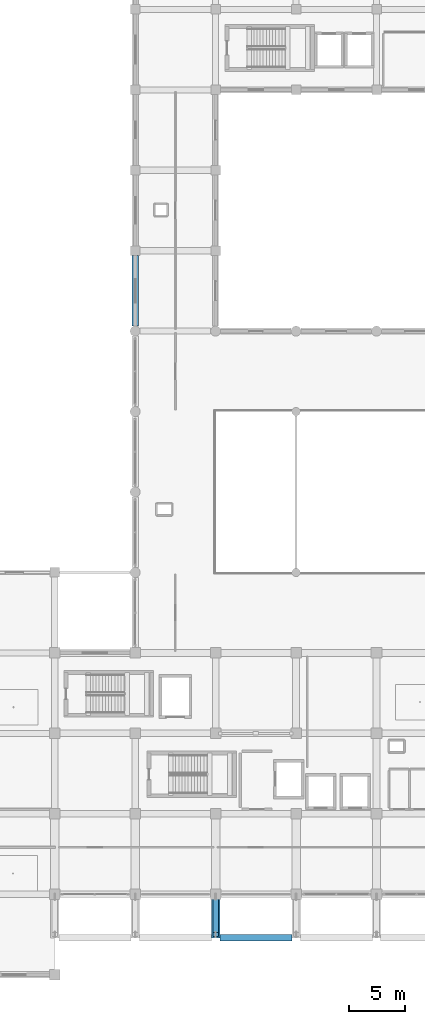
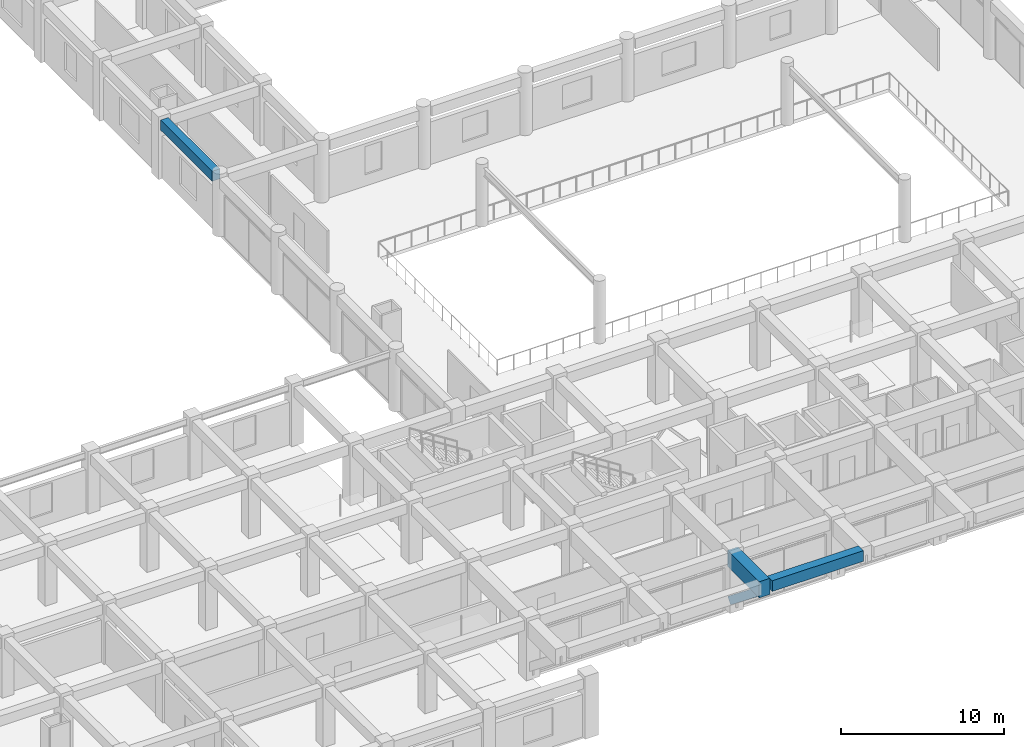
# One storey, part 9 of 54: 3 beams, 1 member.
"""IFC4 building model written with IfcOpenShell, lengths in metres."""

import ifcopenshell
import ifcopenshell.guid

model = None  # the IFC model being written
_history = None  # IfcOwnerHistory: only IFC2X3 demands one
_inside = {}  # id of a spatial element -> (the spatial element, [elements in it])
_under = {}  # id of a project, library or spatial element -> (it, [spatial elements below it])
_declared = {}  # id of a project -> (the project, [libraries it declares])
_typed = {}  # id of a type object -> (the type object, [elements of that type])
_made_of = {}  # id of a material, layer set ... -> (it, [elements and type objects made of it])


def new_model(schema):
    """Start an empty IFC model of exactly this schema.

    Asked for "IFC4X3", IfcOpenShell would pick the latest addendum, in which some entities
    have other attributes; the version numbers below select the first issue.
    IFC2X3 requires an IfcOwnerHistory on every rooted entity: one is made here for all.
    """
    global model, _history
    if schema == "IFC4X3":
        model = ifcopenshell.file(schema_version=(4, 3, 0, 0))
    else:
        model = ifcopenshell.file(schema=schema)
    _inside.clear()
    _under.clear()
    _declared.clear()
    _typed.clear()
    _made_of.clear()
    _history = None
    if model.schema == "IFC2X3":
        org = make("IfcOrganization", Name="unknown")
        user = make(
            "IfcPersonAndOrganization",
            ThePerson=make("IfcPerson", FamilyName="unknown"),
            TheOrganization=org,
        )
        app = make(
            "IfcApplication",
            ApplicationDeveloper=org,
            Version="unknown",
            ApplicationFullName="unknown",
            ApplicationIdentifier="unknown",
        )
        _history = make(
            "IfcOwnerHistory",
            OwningUser=user,
            OwningApplication=app,
            ChangeAction="ADDED",
            CreationDate=0,
        )
    return model


def make(cls, **values):
    """One entity of the class cls with the attributes given. An attribute that is None is left unset."""
    return model.create_entity(
        cls, **{name: value for name, value in values.items() if value is not None}
    )


def rooted(cls, **values):
    """An entity with a GlobalId (a new one), such as an element, a storey or a relation."""
    return make(cls, GlobalId=ifcopenshell.guid.new(), OwnerHistory=_history, **values)


def si_unit(unit_type, name, prefix=None):
    """IfcSIUnit, for example si_unit("LENGTHUNIT", "METRE", prefix="MILLI")."""
    return make("IfcSIUnit", UnitType=unit_type, Prefix=prefix, Name=name)


def assignment(units):
    """IfcUnitAssignment: the units of a project."""
    return None if units is None else make("IfcUnitAssignment", Units=units)


def point(xyz):
    """IfcCartesianPoint."""
    return None if xyz is None else make("IfcCartesianPoint", Coordinates=xyz)


def direction(xyz):
    """IfcDirection."""
    return None if xyz is None else make("IfcDirection", DirectionRatios=xyz)


def frame(location, z_axis=None, x_axis=None):
    """IfcAxis2Placement3D, a coordinate frame: its origin and axes. An axis left out is left unset."""
    return make(
        "IfcAxis2Placement3D",
        Location=point(location),
        Axis=direction(z_axis),
        RefDirection=direction(x_axis),
    )


def frame_2d(location, x_axis=None):
    """IfcAxis2Placement2D, a coordinate frame in the plane: its origin and x axis."""
    return make(
        "IfcAxis2Placement2D", Location=point(location), RefDirection=direction(x_axis)
    )


def origin():
    """The frame at (0, 0, 0) with its axes left unset."""
    return frame((0.0, 0.0, 0.0))


def origin_2d():
    """The frame at (0, 0) in the plane with its x axis left unset."""
    return frame_2d((0.0, 0.0))


def place(relative_to, where):
    """IfcLocalPlacement: puts the frame where relative to a parent placement (None: the world)."""
    return make(
        "IfcLocalPlacement", PlacementRelTo=relative_to, RelativePlacement=where
    )


def context(
    kind, dimensions, precision=None, world=None, true_north=None, identifier=None
):
    """IfcGeometricRepresentationContext, for example the 3D "Model" context."""
    return make(
        "IfcGeometricRepresentationContext",
        ContextIdentifier=identifier,
        ContextType=kind,
        CoordinateSpaceDimension=dimensions,
        Precision=precision,
        WorldCoordinateSystem=world,
        TrueNorth=true_north,
    )


def subcontext(parent, identifier, kind, view, scale=None):
    """IfcGeometricRepresentationSubContext, for example "Body" below "Model"."""
    return make(
        "IfcGeometricRepresentationSubContext",
        ContextIdentifier=identifier,
        ContextType=kind,
        ParentContext=parent,
        TargetScale=scale,
        TargetView=view,
    )


def project(units=None, contexts=None):
    """IfcProject with its units and contexts."""
    return rooted(
        "IfcProject",
        Name="project",
        RepresentationContexts=contexts,
        UnitsInContext=assignment(units),
    )


def spatial(cls, under=None, at=None, **own):
    """A site, building, storey or space (cls), placed at a placement, below another one or the project."""
    s = rooted(cls, ObjectPlacement=at, **own)
    if under is not None:
        _under.setdefault(under.id(), (under, []))[1].append(s)
    return s


def profile(cls, at=None, kind="AREA", **sizes):
    """A parametric profile (cls). Its sizes go by their IFC names, for example OverallWidth=200.0."""
    return make(cls, ProfileType=kind, Position=at, **sizes)


def rectangle(**sizes):
    """IfcRectangleProfileDef."""
    return profile("IfcRectangleProfileDef", **sizes)


def extrude(swept, where, along, depth):
    """IfcExtrudedAreaSolid: the profile swept, set in the frame where, extruded along a direction by depth."""
    return make(
        "IfcExtrudedAreaSolid",
        SweptArea=swept,
        Position=where,
        ExtrudedDirection=direction(along),
        Depth=depth,
    )


def shape(context_of_items, identifier, shape_type, items):
    """IfcShapeRepresentation: the items that make up one representation, for example the "Body"."""
    return make(
        "IfcShapeRepresentation",
        ContextOfItems=context_of_items,
        RepresentationIdentifier=identifier,
        RepresentationType=shape_type,
        Items=items,
    )


def material(Name=None, Category=None):
    """IfcMaterial."""
    return make("IfcMaterial", Name=Name, Category=Category)


def material_profile(
    of_material, cross_section, Name=None, Category=None, Priority=None
):
    """IfcMaterialProfile: a cross section and its material."""
    return make(
        "IfcMaterialProfile",
        Name=Name,
        Material=of_material,
        Profile=cross_section,
        Priority=Priority,
        Category=Category,
    )


def profile_set(profiles, Name=None, composite=None):
    """IfcMaterialProfileSet."""
    return make(
        "IfcMaterialProfileSet",
        Name=Name,
        MaterialProfiles=profiles,
        CompositeProfile=composite,
    )


def made_of(thing, what):
    """Note that an element or type object is made of a material, layer set ...; save() writes the relation."""
    if what is not None:
        _made_of.setdefault(what.id(), (what, []))[1].append(thing)
    return thing


def type_object(cls, material=None, **own):
    """A type object (cls), such as IfcWallType, which elements share."""
    return made_of(rooted(cls, **own), material)


def element(
    cls,
    number,
    at=None,
    inside=None,
    cuts=None,
    type_object=None,
    material=None,
    context=None,
    identifier="Body",
    shape_type=None,
    held_by="IfcProductDefinitionShape",
    body=None,
    shapes=None,
    **own,
):
    """One element of the class cls, such as IfcWall. Its Tag is "e" and its number.

    at: its placement. inside: the storey or other place that contains it. cuts: it is an
    opening in that element (IfcRelVoidsElement). A single representation is given by context,
    identifier, shape_type and body (its items); several are given by shapes. held_by: the class
    of the entity that holds the representations. save() writes the other relations.
    """
    e = rooted(cls, Tag="e%d" % number, ObjectPlacement=at, **own)
    if body is not None:
        shapes = [shape(context, identifier, shape_type, body)]
    if shapes is not None:
        e.Representation = make(held_by, Representations=shapes)
    if inside is not None:
        _inside.setdefault(inside.id(), (inside, []))[1].append(e)
    if cuts is not None:
        rooted(
            "IfcRelVoidsElement", RelatingBuildingElement=cuts, RelatedOpeningElement=e
        )
    if type_object is not None:
        _typed.setdefault(type_object.id(), (type_object, []))[1].append(e)
    return made_of(e, material)


def aggregate(whole, parts):
    """IfcRelAggregates: a whole, such as a stair, and the parts it consists of."""
    return rooted("IfcRelAggregates", RelatingObject=whole, RelatedObjects=parts)


def save(model, path):
    """Write the relations noted so far, then the file.

    IfcRelAggregates (storeys below a building ...), IfcRelContainedInSpatialStructure (elements
    in a storey), IfcRelDefinesByType, IfcRelAssociatesMaterial and IfcRelDeclares: one each for
    every whole, place, type object, material and project.
    """
    for whole, parts in _under.values():
        aggregate(whole, parts)
    for where, things in _inside.values():
        rooted(
            "IfcRelContainedInSpatialStructure",
            RelatedElements=things,
            RelatingStructure=where,
        )
    for kind, things in _typed.values():
        rooted("IfcRelDefinesByType", RelatedObjects=things, RelatingType=kind)
    for what, things in _made_of.values():
        rooted("IfcRelAssociatesMaterial", RelatedObjects=things, RelatingMaterial=what)
    for by, libraries in _declared.values():
        rooted("IfcRelDeclares", RelatingContext=by, RelatedDefinitions=libraries)
    model.write(path)


model = new_model("IFC4")

# Units and contexts
model_context = context("Model", 3, precision=1e-05, world=origin(), true_north=direction((0.0, 1.0)))
body_context = subcontext(model_context, "Body", "Model", "MODEL_VIEW")
ifc_project = project(units=[si_unit("LENGTHUNIT", "METRE"), si_unit("AREAUNIT", "SQUARE_METRE"), si_unit("VOLUMEUNIT", "CUBIC_METRE"), si_unit("PLANEANGLEUNIT", "RADIAN"), si_unit("MASSUNIT", "GRAM", prefix="KILO")], contexts=[model_context])

# Site, building, storey
site_placement = place(None, origin())
site = spatial("IfcSite", under=ifc_project, at=site_placement, CompositionType="ELEMENT")
building_placement = place(site_placement, origin())
building = spatial("IfcBuilding", under=site, at=building_placement, Name="Kazehaya Institute of Natural Sciences", CompositionType="ELEMENT")
storey_placement = place(building_placement, frame((0.0, 0.0, 10.43994140625)))
storey = spatial("IfcBuildingStorey", under=building, at=storey_placement, Name="L02", CompositionType="ELEMENT", Elevation=10.43994140625)

# Beams
ifc_material_1 = material(Name="Concrete Fc36", Category="concrete")
ifc_material_profile_1 = material_profile(ifc_material_1, rectangle(XDim=0.550048828125, YDim=0.75, at=origin_2d()), Name="RC-550x750")
ifc_profile_set_1 = profile_set([ifc_material_profile_1], Name="Concrete Fc36")
beam_type_1 = type_object("IfcBeamType", Name="BM-G-550x750", PredefinedType="BEAM", material=ifc_profile_set_1)
beam_1_placement = place(storey_placement, frame((61.800048828125, 64.85009765625, 4.03515625), z_axis=(0.0, 1.0, 0.0), x_axis=(-1.0, 0.0, 0.0)))
element("IfcBeam", 1, at=beam_1_placement, inside=storey, type_object=beam_type_1, Name="L02 primary Y girder BMY-L02-618-644", PredefinedType="BEAM", context=body_context, shape_type="SweptSolid", body=[
    extrude(rectangle(XDim=0.550048828125, YDim=0.75, at=origin_2d()), origin(), (0.0, 0.0, 1.0), 6.324951171875),
])
ifc_material_profile_2 = material_profile(ifc_material_1, rectangle(XDim=0.60009765625, YDim=0.800048828125, at=origin_2d()), Name="RC-600x800")
ifc_profile_set_2 = profile_set([ifc_material_profile_2], Name="Concrete Fc36")
beam_type_2 = type_object("IfcBeamType", Name="BM-G-600x800", PredefinedType="BEAM", material=ifc_profile_set_2)
beam_2_placement = place(storey_placement, frame((69.375, 10.10009765625, 4.010009765625), z_axis=(1.0, 0.0, 0.0), x_axis=(0.0, 1.0, 0.0)))
element("IfcBeam", 2, at=beam_2_placement, inside=storey, type_object=beam_type_2, Name="L02 primary X girder BMX-L02-690-101", PredefinedType="BEAM", context=body_context, shape_type="SweptSolid", body=[
    extrude(rectangle(XDim=0.60009765625, YDim=0.800048828125, at=origin_2d()), origin(), (0.0, 0.0, 1.0), 6.449951171875),
])
ifc_material_2 = material(Name="Concrete Fc42", Category="concrete")
ifc_material_profile_3 = material_profile(ifc_material_2, rectangle(XDim=0.75, YDim=1.199951171875, at=origin_2d()), Name="RC-750x1200")
ifc_profile_set_3 = profile_set([ifc_material_profile_3], Name="Concrete Fc42")
beam_type_3 = type_object("IfcBeamType", Name="BM-TG-750x1200", PredefinedType="BEAM", material=ifc_profile_set_3)
beam_3_placement = place(storey_placement, frame((69.0, 10.10009765625, 3.81005859375), z_axis=(0.0, 1.0, 0.0), x_axis=(-1.0, 0.0, 0.0)))
element("IfcBeam", 3, at=beam_3_placement, inside=storey, type_object=beam_type_3, Name="L02 cantilever transfer girder 1215", PredefinedType="BEAM", context=body_context, shape_type="SweptSolid", body=[
    extrude(rectangle(XDim=0.75, YDim=1.199951171875, at=origin_2d()), origin(), (0.0, 0.0, 1.0), 3.89990234375),
])

# Member
ifc_material_profile_4 = material_profile(ifc_material_2, rectangle(XDim=0.5, YDim=0.550048828125, at=origin_2d()), Name="RC-500x550")
ifc_profile_set_4 = profile_set([ifc_material_profile_4], Name="Concrete Fc42")
member_type = type_object("IfcMemberType", Name="MEM-STRUT-RC500", PredefinedType="BRACE", material=ifc_profile_set_4)
member_placement = place(storey_placement, frame((69.0, 14.0, 0.60009765625), z_axis=(0.0, -0.783008919264, 0.622010476079), x_axis=(1.0, 0.0, 0.0)))
element("IfcMember", 4, at=member_placement, inside=storey, type_object=member_type, Name="L02 raked cantilever strut 003", PredefinedType="BRACE", context=body_context, shape_type="SweptSolid", body=[
    extrude(rectangle(XDim=0.5, YDim=0.550048828125, at=origin_2d()), origin(), (0.0, 0.0, 1.0), 4.59765625),
])

save(model, "model.ifc")
